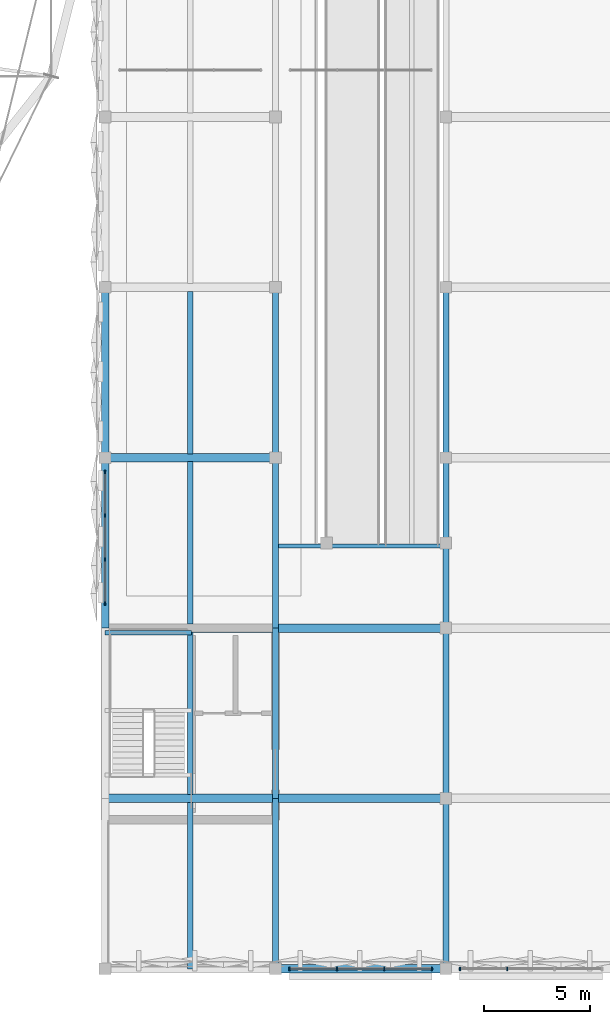
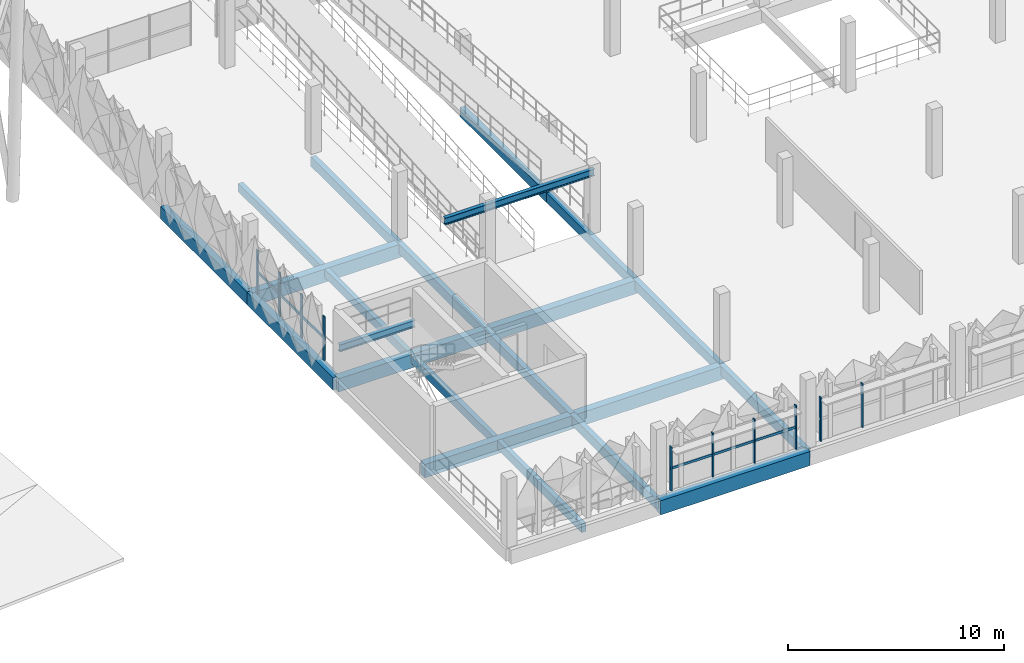
# One storey, part 19 of 96: 22 beams, 12 members, 3 elements without a shape of their own.
"""IFC4 building model written with IfcOpenShell, lengths in metres."""

from ifc_helpers import new_model, si_unit, derived_unit, direction, frame, origin, origin_2d, place, context, subcontext, project, spatial, rectangle, i_section, extrude, material, layer, layer_set, material_profile, profile_set, type_object, element, aggregate, save


model = new_model("IFC4")

# Units and contexts
model_context = context("Model", 3, precision=1e-05, world=origin(), true_north=direction((0.0, 1.0)))
body_context = subcontext(model_context, "Body", "Model", "MODEL_VIEW")
ifc_project = project(units=[si_unit("LENGTHUNIT", "METRE"), si_unit("AREAUNIT", "SQUARE_METRE"), si_unit("VOLUMEUNIT", "CUBIC_METRE"), si_unit("PLANEANGLEUNIT", "RADIAN"), si_unit("MASSUNIT", "GRAM", prefix="KILO"), si_unit("THERMODYNAMICTEMPERATUREUNIT", "KELVIN"), derived_unit("THERMALTRANSMITTANCEUNIT", [(si_unit("POWERUNIT", "WATT"), 1), (si_unit("AREAUNIT", "SQUARE_METRE"), -1), (si_unit("THERMODYNAMICTEMPERATUREUNIT", "KELVIN"), -1)])], contexts=[model_context])

# Site, building, storey
site_placement = place(None, origin())
site = spatial("IfcSite", under=ifc_project, at=site_placement, CompositionType="ELEMENT")
building_placement = place(site_placement, origin())
building = spatial("IfcBuilding", under=site, at=building_placement, Name="Haiyu Intermodal Mobility Hub", CompositionType="ELEMENT")
storey_placement = place(building_placement, frame((0.0, 0.0, 9.5)))
storey = spatial("IfcBuildingStorey", under=building, at=storey_placement, Name="L02", CompositionType="ELEMENT", Elevation=9.5)

# Beams
ifc_material_1 = material(Name="Concrete C40", Category="concrete")
ifc_material_profile_1 = material_profile(ifc_material_1, rectangle(XDim=0.39990234375, YDim=0.75, at=origin_2d()), Name="RCB400x750")
ifc_profile_set_1 = profile_set([ifc_material_profile_1], Name="Concrete C40")
beam_type_1 = type_object("IfcBeamType", Name="BM-CB03", PredefinedType="BEAM", material=ifc_profile_set_1)
for number, where, z_axis, x_axis, name in (
    (1, (154.0, 24.0, -0.635009765625), (1.0, 0.0, 0.0), (0.0, 1.0, 0.0), "BM-V5G-L02-007"),
    (2, (162.0, 24.0, -0.635009765625), (1.0, 0.0, 0.0), (0.0, 1.0, 0.0), "BM-V5G-L02-008"),
    (3, (154.0, 32.0, -0.635009765625), (1.0, 0.0, 0.0), (0.0, 1.0, 0.0), "BM-V5G-L02-014"),
    (4, (162.0, 32.0, -0.635009765625), (1.0, 0.0, 0.0), (0.0, 1.0, 0.0), "BM-V5G-L02-015"),
    (5, (154.0, 40.0, -0.635009765625), (1.0, 0.0, 0.0), (0.0, 1.0, 0.0), "BM-V5G-L02-021"),
):
    element("IfcBeam", number, at=place(storey_placement, frame(where, z_axis=z_axis, x_axis=x_axis)), inside=storey, type_object=beam_type_1, Name=name, PredefinedType="BEAM", context=body_context, shape_type="SweptSolid", body=[
        extrude(rectangle(XDim=0.39990234375, YDim=0.75, at=origin_2d()), origin(), (0.0, 0.0, 1.0), 8.0),
    ])
ifc_material_profile_2 = material_profile(ifc_material_1, rectangle(XDim=0.39990234375, YDim=0.800048828125, at=origin_2d()), Name="RCB400x800")
ifc_profile_set_2 = profile_set([ifc_material_profile_2], Name="Concrete C40")
beam_type_2 = type_object("IfcBeamType", Name="BM-CB05", PredefinedType="BEAM", material=ifc_profile_set_2)
beam_1_placement = place(storey_placement, frame((162.0, 16.0, -0.659912109375), z_axis=(1.0, 0.0, 0.0), x_axis=(0.0, 1.0, 0.0)))
element("IfcBeam", 6, at=beam_1_placement, inside=storey, type_object=beam_type_2, Name="BM-V5G-L02-002", PredefinedType="BEAM", context=body_context, shape_type="SweptSolid", body=[
    extrude(rectangle(XDim=0.39990234375, YDim=0.800048828125, at=origin_2d()), origin(), (0.0, 0.0, 1.0), 8.0),
])
ifc_material_profile_3 = material_profile(ifc_material_1, rectangle(XDim=0.35009765625, YDim=0.699951171875, at=origin_2d()), Name="RCB350x700")
ifc_profile_set_3 = profile_set([ifc_material_profile_3], Name="Concrete C40")
beam_type_3 = type_object("IfcBeamType", Name="BM-CB06", PredefinedType="BEAM", material=ifc_profile_set_3)
for number, where, z_axis, x_axis, name in (
    (7, (154.0, 32.0, -0.610107421875), (0.0, 1.0, 0.0), (-1.0, 0.0, 0.0), "BM-V5T-L02-003"),
    (8, (154.0, 40.0, -0.610107421875), (0.0, 1.0, 0.0), (-1.0, 0.0, 0.0), "BM-V5T-L02-004"),
):
    element("IfcBeam", number, at=place(storey_placement, frame(where, z_axis=z_axis, x_axis=x_axis)), inside=storey, type_object=beam_type_3, Name=name, PredefinedType="BEAM", context=body_context, shape_type="SweptSolid", body=[
        extrude(rectangle(XDim=0.35009765625, YDim=0.699951171875, at=origin_2d()), origin(), (0.0, 0.0, 1.0), 8.0),
    ])
ifc_material_profile_4 = material_profile(ifc_material_1, rectangle(XDim=0.280029296875, YDim=0.5400390625, at=origin_2d()), Name="RCB280x540")
ifc_profile_set_4 = profile_set([ifc_material_profile_4], Name="Concrete C40")
beam_type_4 = type_object("IfcBeamType", Name="BM-CB08", PredefinedType="JOIST", material=ifc_profile_set_4)
for number, where, z_axis, x_axis, name in (
    (9, (162.0, 16.0, -0.530029296875), (0.0, 1.0, 0.0), (-1.0, 0.0, 0.0), "BM-V5T-L02-009"),
    (10, (162.0, 24.0, -0.530029296875), (0.0, 1.0, 0.0), (-1.0, 0.0, 0.0), "BM-V5T-L02-010"),
    (11, (162.0, 32.0, -0.530029296875), (0.0, 1.0, 0.0), (-1.0, 0.0, 0.0), "BM-V5T-L02-011"),
    (12, (162.0, 40.0, -0.530029296875), (0.0, 1.0, 0.0), (-1.0, 0.0, 0.0), "BM-V5T-L02-012"),
    (13, (170.0, 16.0, -0.530029296875), (0.0, 1.0, 0.0), (-1.0, 0.0, 0.0), "BM-V5T-L02-017"),
    (14, (170.0, 24.0, -0.530029296875), (0.0, 1.0, 0.0), (-1.0, 0.0, 0.0), "BM-V5T-L02-018"),
    (15, (170.0, 32.0, -0.530029296875), (0.0, 1.0, 0.0), (-1.0, 0.0, 0.0), "BM-V5T-L02-019"),
    (16, (170.0, 40.0, -0.530029296875), (0.0, 1.0, 0.0), (-1.0, 0.0, 0.0), "BM-V5T-L02-020"),
):
    element("IfcBeam", number, at=place(storey_placement, frame(where, z_axis=z_axis, x_axis=x_axis)), inside=storey, type_object=beam_type_4, Name=name, PredefinedType="JOIST", context=body_context, shape_type="SweptSolid", body=[
        extrude(rectangle(XDim=0.280029296875, YDim=0.5400390625, at=origin_2d()), origin(), (0.0, 0.0, 1.0), 8.0),
    ])
ifc_material_profile_5 = material_profile(ifc_material_1, rectangle(XDim=0.25, YDim=0.47998046875, at=origin_2d()), Name="RCB250x480")
ifc_profile_set_5 = profile_set([ifc_material_profile_5], Name="Concrete C40")
beam_type_5 = type_object("IfcBeamType", Name="BM-CB09", PredefinedType="JOIST", material=ifc_profile_set_5)
beam_2_placement = place(storey_placement, frame((158.0, 16.0, -0.5), z_axis=(0.0, 1.0, 0.0), x_axis=(-1.0, 0.0, 0.0)))
element("IfcBeam", 17, at=beam_2_placement, inside=storey, type_object=beam_type_5, Name="BM-V5J-L02-001", PredefinedType="JOIST", context=body_context, shape_type="SweptSolid", body=[
    extrude(rectangle(XDim=0.25, YDim=0.47998046875, at=origin_2d()), origin(), (0.0, 0.0, 1.0), 7.81494140625),
])
for number, where, z_axis, x_axis, name in (
    (18, (158.0, 24.18505859375, -0.5), (0.0, 1.0, 0.0), (-1.0, 0.0, 0.0), "BM-V5J-L02-002"),
    (19, (158.0, 32.18505859375, -0.5), (0.0, 1.0, 0.0), (-1.0, 0.0, 0.0), "BM-V5J-L02-003"),
    (20, (158.0, 40.18505859375, -0.5), (0.0, 1.0, 0.0), (-1.0, 0.0, 0.0), "BM-V5J-L02-004"),
):
    element("IfcBeam", number, at=place(storey_placement, frame(where, z_axis=z_axis, x_axis=x_axis)), inside=storey, type_object=beam_type_5, Name=name, PredefinedType="JOIST", context=body_context, shape_type="SweptSolid", body=[
        extrude(rectangle(XDim=0.25, YDim=0.47998046875, at=origin_2d()), origin(), (0.0, 0.0, 1.0), 7.6298828125),
    ])
ifc_material_2 = material(Name="Steel Q355C", Category="steel")
ifc_material_profile_6 = material_profile(ifc_material_2, i_section(OverallWidth=0.199951171875, OverallDepth=0.39990234375, WebThickness=0.008056640625, FlangeThickness=0.012939453125, FilletRadius=0.01611328125, at=origin_2d()), Name="HN400x200x8x13")
ifc_profile_set_6 = profile_set([ifc_material_profile_6], Name="Steel Q355C")
beam_type_6 = type_object("IfcBeamType", Name="BM-SB08", PredefinedType="JOIST", material=ifc_profile_set_6)
beam_3_placement = place(storey_placement, frame((162.0, 35.85009765625, 3.43505859375), z_axis=(1.0, 0.0, 0.0), x_axis=(0.0, 1.0, 0.0)))
element("IfcBeam", 21, at=beam_3_placement, inside=storey, type_object=beam_type_6, Name="BM-BRMPT-L02", PredefinedType="JOIST", context=body_context, shape_type="SweptSolid", body=[
    extrude(i_section(OverallWidth=0.199951171875, OverallDepth=0.39990234375, WebThickness=0.008056640625, FlangeThickness=0.012939453125, FilletRadius=0.01611328125, at=origin_2d()), origin(), (0.0, 0.0, 1.0), 8.0),
])
beam_4_placement = place(storey_placement, frame((154.0, 31.780029296875, 1.52490234375), z_axis=(1.0, 0.0, 0.0), x_axis=(0.0, 1.0, 0.0)))
element("IfcBeam", 22, at=beam_4_placement, inside=storey, type_object=beam_type_6, Name="Stair Half-Landing Rear Beam C8-L02", PredefinedType="JOIST", context=body_context, shape_type="SweptSolid", body=[
    extrude(i_section(OverallWidth=0.199951171875, OverallDepth=0.39990234375, WebThickness=0.008056640625, FlangeThickness=0.012939453125, FilletRadius=0.01611328125, at=origin_2d()), origin(), (0.0, 0.0, 1.0), 4.050048828125),
])

# Curtain wall, members
ifc_material_3 = material(Name="Low-e laminated insulating glass", Category="glass")
ifc_layer = layer(ifc_material_3, 0.2099609375)
ifc_layer_set = layer_set([ifc_layer], Name="Low-e laminated insulating glass")
curtain_wall_type = type_object("IfcCurtainWallType", Name="CW-CW04", PredefinedType="NOTDEFINED", material=ifc_layer_set)
curtain_wall_1_placement = place(storey_placement, origin())
curtain_wall_1 = element("IfcCurtainWall", 23, at=curtain_wall_1_placement, inside=storey, type_object=curtain_wall_type, Name="Curtain Wall CW-V5S-L02-106", PredefinedType="NOTDEFINED")
ifc_material_4 = material(Name="Anodised aluminium 6063-T6", Category="aluminium")
ifc_material_profile_7 = material_profile(ifc_material_4, rectangle(XDim=0.06494140625, YDim=0.1650390625, at=origin_2d()), Name="ALU65x165")
ifc_profile_set_7 = profile_set([ifc_material_profile_7], Name="Anodised aluminium 6063-T6")
member_type_1 = type_object("IfcMemberType", Name="CWM-ML02", PredefinedType="MULLION", material=ifc_profile_set_7)
member_1_placement = place(storey_placement, frame((162.659912109375, 16.0, 0.0), z_axis=(0.0, 0.0, 1.0), x_axis=(1.0, 0.0, 0.0)))
member_1 = element("IfcMember", 24, at=member_1_placement, type_object=member_type_1, Name="CW-V5S-L02-106-ML01", PredefinedType="MULLION", context=body_context, shape_type="SweptSolid", body=[
    extrude(rectangle(XDim=0.06494140625, YDim=0.1650390625, at=origin_2d()), origin(), (0.0, 0.0, 1.0), 2.47998046875),
])
member_2_placement = place(storey_placement, frame((164.886962890625, 16.0, 0.0), z_axis=(0.0, 0.0, 1.0), x_axis=(1.0, 0.0, 0.0)))
member_2 = element("IfcMember", 25, at=member_2_placement, type_object=member_type_1, Name="CW-V5S-L02-106-ML02", PredefinedType="MULLION", context=body_context, shape_type="SweptSolid", body=[
    extrude(rectangle(XDim=0.06494140625, YDim=0.1650390625, at=origin_2d()), origin(), (0.0, 0.0, 1.0), 2.47998046875),
])
member_3_placement = place(storey_placement, frame((167.113037109375, 16.0, 0.0), z_axis=(0.0, 0.0, 1.0), x_axis=(1.0, 0.0, 0.0)))
member_3 = element("IfcMember", 26, at=member_3_placement, type_object=member_type_1, Name="CW-V5S-L02-106-ML03", PredefinedType="MULLION", context=body_context, shape_type="SweptSolid", body=[
    extrude(rectangle(XDim=0.06494140625, YDim=0.1650390625, at=origin_2d()), origin(), (0.0, 0.0, 1.0), 2.47998046875),
])
member_4_placement = place(storey_placement, frame((169.340087890625, 16.0, 0.0), z_axis=(0.0, 0.0, 1.0), x_axis=(1.0, 0.0, 0.0)))
member_4 = element("IfcMember", 27, at=member_4_placement, type_object=member_type_1, Name="CW-V5S-L02-106-ML04", PredefinedType="MULLION", context=body_context, shape_type="SweptSolid", body=[
    extrude(rectangle(XDim=0.06494140625, YDim=0.1650390625, at=origin_2d()), origin(), (0.0, 0.0, 1.0), 2.47998046875),
])

curtain_wall_2_placement = place(storey_placement, origin())
curtain_wall_2 = element("IfcCurtainWall", 28, at=curtain_wall_2_placement, inside=storey, type_object=curtain_wall_type, Name="Curtain Wall CW-V5S-L02-107", PredefinedType="NOTDEFINED")
member_5_placement = place(storey_placement, frame((170.659912109375, 16.0, 0.0), z_axis=(0.0, 0.0, 1.0), x_axis=(1.0, 0.0, 0.0)))
member_5 = element("IfcMember", 29, at=member_5_placement, type_object=member_type_1, Name="CW-V5S-L02-107-ML01", PredefinedType="MULLION", context=body_context, shape_type="SweptSolid", body=[
    extrude(rectangle(XDim=0.06494140625, YDim=0.1650390625, at=origin_2d()), origin(), (0.0, 0.0, 1.0), 2.47998046875),
])
member_6_placement = place(storey_placement, frame((172.886962890625, 16.0, 0.0), z_axis=(0.0, 0.0, 1.0), x_axis=(1.0, 0.0, 0.0)))
member_6 = element("IfcMember", 30, at=member_6_placement, type_object=member_type_1, Name="CW-V5S-L02-107-ML02", PredefinedType="MULLION", context=body_context, shape_type="SweptSolid", body=[
    extrude(rectangle(XDim=0.06494140625, YDim=0.1650390625, at=origin_2d()), origin(), (0.0, 0.0, 1.0), 2.47998046875),
])
aggregate(curtain_wall_2, [member_5, member_6])

curtain_wall_3_placement = place(storey_placement, origin())
curtain_wall_3 = element("IfcCurtainWall", 31, at=curtain_wall_3_placement, inside=storey, type_object=curtain_wall_type, Name="Curtain Wall CW-V5W-L02-117", PredefinedType="NOTDEFINED")
member_7_placement = place(storey_placement, frame((154.0, 39.340087890625, 0.0), z_axis=(0.0, 0.0, 1.0), x_axis=(1.0, 0.0, 0.0)))
member_7 = element("IfcMember", 32, at=member_7_placement, type_object=member_type_1, Name="CW-V5W-L02-117-ML01", PredefinedType="MULLION", context=body_context, shape_type="SweptSolid", body=[
    extrude(rectangle(XDim=0.06494140625, YDim=0.1650390625, at=origin_2d()), origin(), (0.0, 0.0, 1.0), 2.47998046875),
])
member_8_placement = place(storey_placement, frame((154.0, 37.280029296875, 0.0), z_axis=(0.0, 0.0, 1.0), x_axis=(1.0, 0.0, 0.0)))
member_8 = element("IfcMember", 33, at=member_8_placement, type_object=member_type_1, Name="CW-V5W-L02-117-ML02", PredefinedType="MULLION", context=body_context, shape_type="SweptSolid", body=[
    extrude(rectangle(XDim=0.06494140625, YDim=0.1650390625, at=origin_2d()), origin(), (0.0, 0.0, 1.0), 2.47998046875),
])
member_9_placement = place(storey_placement, frame((154.0, 35.219970703125, 0.0), z_axis=(0.0, 0.0, 1.0), x_axis=(1.0, 0.0, 0.0)))
member_9 = element("IfcMember", 34, at=member_9_placement, type_object=member_type_1, Name="CW-V5W-L02-117-ML03", PredefinedType="MULLION", context=body_context, shape_type="SweptSolid", body=[
    extrude(rectangle(XDim=0.06494140625, YDim=0.1650390625, at=origin_2d()), origin(), (0.0, 0.0, 1.0), 2.47998046875),
])
member_10_placement = place(storey_placement, frame((154.0, 33.159912109375, 0.0), z_axis=(0.0, 0.0, 1.0), x_axis=(1.0, 0.0, 0.0)))
member_10 = element("IfcMember", 35, at=member_10_placement, type_object=member_type_1, Name="CW-V5W-L02-117-ML04", PredefinedType="MULLION", context=body_context, shape_type="SweptSolid", body=[
    extrude(rectangle(XDim=0.06494140625, YDim=0.1650390625, at=origin_2d()), origin(), (0.0, 0.0, 1.0), 2.47998046875),
])

# Member
ifc_material_profile_8 = material_profile(ifc_material_4, rectangle(XDim=0.06494140625, YDim=0.135009765625, at=origin_2d()), Name="ALU65x135")
ifc_profile_set_8 = profile_set([ifc_material_profile_8], Name="Anodised aluminium 6063-T6")
member_type_2 = type_object("IfcMemberType", Name="CWM-TR02", PredefinedType="USERDEFINED", material=ifc_profile_set_8)
member_11_placement = place(storey_placement, frame((162.6201171875, 16.0, 1.239990234375), z_axis=(1.0, 0.0, 0.0), x_axis=(0.0, 1.0, 0.0)))
member_11 = element("IfcMember", 36, at=member_11_placement, type_object=member_type_2, Name="CW-V5S-L02-106-TR01", ObjectType="TRANSOM", PredefinedType="USERDEFINED", context=body_context, shape_type="SweptSolid", body=[
    extrude(rectangle(XDim=0.06494140625, YDim=0.135009765625, at=origin_2d()), origin(), (0.0, 0.0, 1.0), 6.759765625),
])

aggregate(curtain_wall_1, [member_1, member_2, member_3, member_4, member_11])

member_12_placement = place(storey_placement, frame((154.0, 39.3798828125, 1.239990234375), z_axis=(0.0, -1.0, 0.0), x_axis=(1.0, 0.0, 0.0)))
member_12 = element("IfcMember", 37, at=member_12_placement, type_object=member_type_2, Name="CW-V5W-L02-117-TR01", ObjectType="TRANSOM", PredefinedType="USERDEFINED", context=body_context, shape_type="SweptSolid", body=[
    extrude(rectangle(XDim=0.06494140625, YDim=0.135009765625, at=origin_2d()), origin(), (0.0, 0.0, 1.0), 6.259765625),
])

aggregate(curtain_wall_3, [member_7, member_8, member_9, member_10, member_12])

save(model, "model.ifc")
